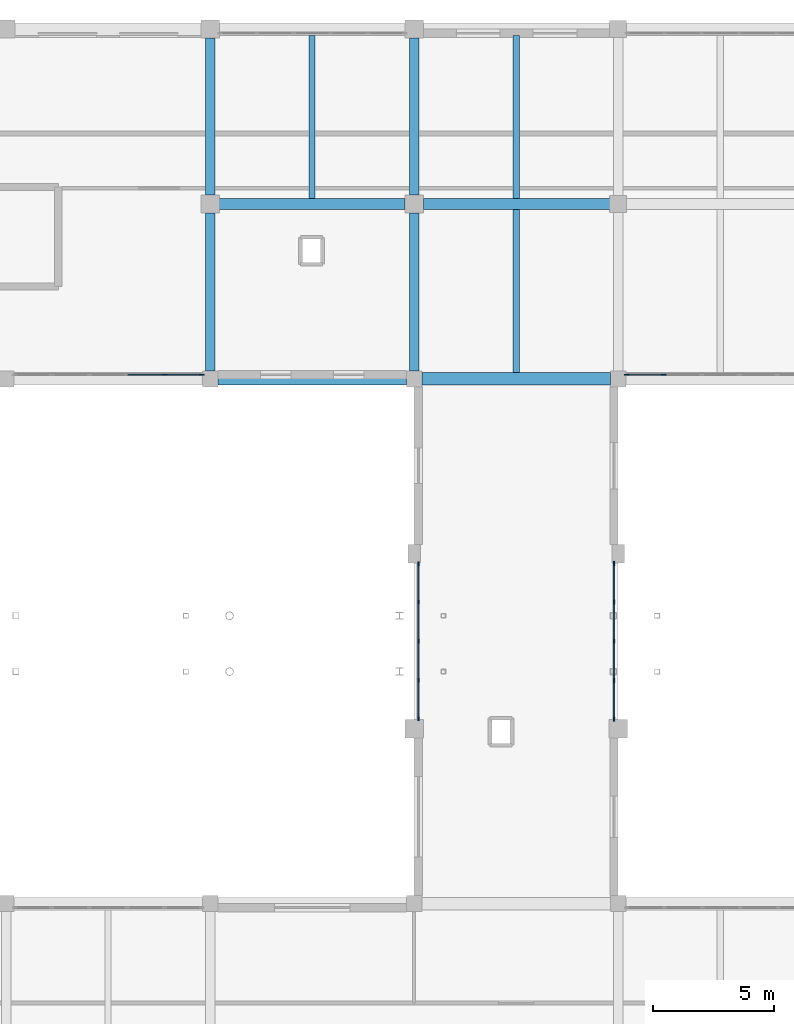
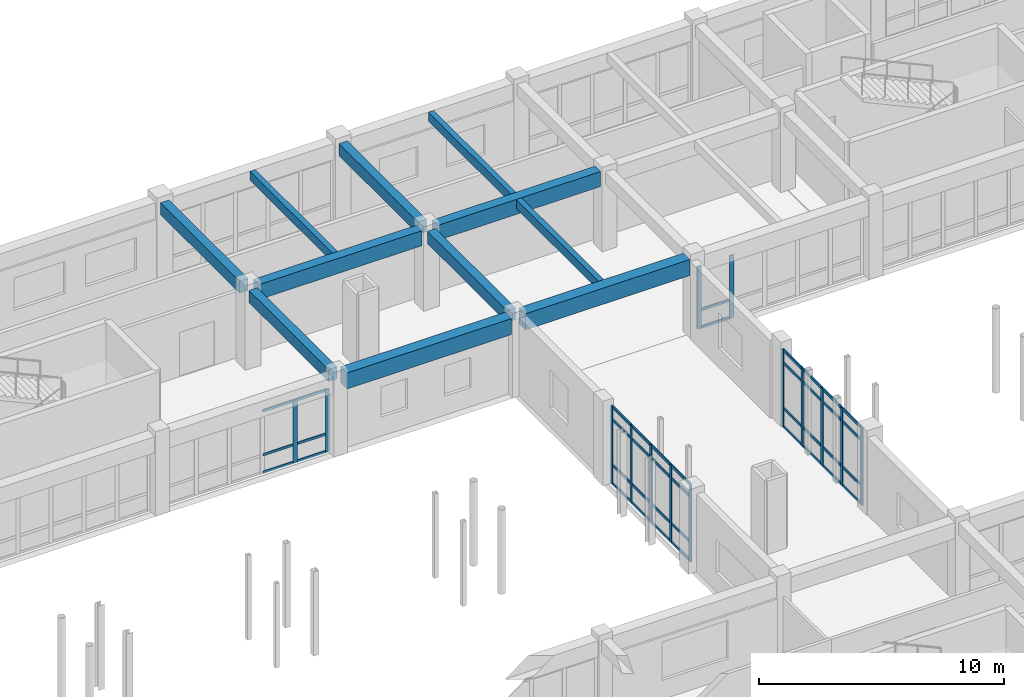
# One storey, part 74 of 147: 54 members, 11 beams, 4 elements without a shape of their own.
"""IFC4 building model written with IfcOpenShell, lengths in metres."""

from ifc_helpers import new_model, si_unit, direction, frame, origin, origin_2d, place, context, subcontext, project, spatial, rectangle, extrude, material, material_profile, profile_set, type_object, element, aggregate, save


model = new_model("IFC4")

# Units and contexts
model_context = context("Model", 3, precision=1e-05, world=origin(), true_north=direction((0.0, 1.0)))
body_context = subcontext(model_context, "Body", "Model", "MODEL_VIEW")
ifc_project = project(units=[si_unit("LENGTHUNIT", "METRE"), si_unit("AREAUNIT", "SQUARE_METRE"), si_unit("VOLUMEUNIT", "CUBIC_METRE"), si_unit("PLANEANGLEUNIT", "RADIAN"), si_unit("MASSUNIT", "GRAM", prefix="KILO")], contexts=[model_context])

# Site, building, storey
site_placement = place(None, origin())
site = spatial("IfcSite", under=ifc_project, at=site_placement, CompositionType="ELEMENT")
building_placement = place(site_placement, origin())
building = spatial("IfcBuilding", under=site, at=building_placement, Name="Malvenik Polytechnic", CompositionType="ELEMENT")
storey_placement = place(building_placement, frame((0.0, 0.0, 5.10009765625)))
storey = spatial("IfcBuildingStorey", under=building, at=storey_placement, Name="L01", CompositionType="ELEMENT", Elevation=5.10009765625)

# Curtain wall, members
ifc_material_1 = material(Name="Anodised aluminium 6060-T6", Category="aluminium")
curtain_wall_type_1 = type_object("IfcCurtainWallType", Name="ARC-CW-CW-04", PredefinedType="NOTDEFINED", material=ifc_material_1)
curtain_wall_1_placement = place(storey_placement, origin())
curtain_wall_1 = element("IfcCurtainWall", 1, at=curtain_wall_1_placement, inside=storey, type_object=curtain_wall_type_1, Name="Unitised Curtain Wall CW-04 L01 #38", PredefinedType="NOTDEFINED")
ifc_material_2 = material(Name="Anodised aluminium", Category="aluminium")
ifc_material_profile_1 = material_profile(ifc_material_2, rectangle(XDim=0.06005859375, YDim=0.159912109375, at=origin_2d()), Name="ALU MULLION 60x160")
ifc_profile_set_1 = profile_set([ifc_material_profile_1], Name="Anodised aluminium")
member_type_1 = type_object("IfcMemberType", Name="ARC-CWM-160", PredefinedType="MULLION", material=ifc_profile_set_1)
member_1_placement = place(storey_placement, frame((75.77001953125, 101.202880859375, 0.0), z_axis=(0.0, 0.0, 1.0), x_axis=(-1.0, 0.0, 0.0)))
member_1 = element("IfcMember", 2, at=member_1_placement, type_object=member_type_1, Name="CW-04 mullion 1", PredefinedType="MULLION", context=body_context, shape_type="SweptSolid", body=[
    extrude(rectangle(XDim=0.06005859375, YDim=0.159912109375, at=origin_2d()), origin(), (0.0, 0.0, 1.0), 3.85986328125),
])
member_2_placement = place(storey_placement, frame((75.77001953125, 102.78662109375, 0.0), z_axis=(0.0, 0.0, 1.0), x_axis=(-1.0, 0.0, 0.0)))
member_2 = element("IfcMember", 3, at=member_2_placement, type_object=member_type_1, Name="CW-04 mullion 2", PredefinedType="MULLION", context=body_context, shape_type="SweptSolid", body=[
    extrude(rectangle(XDim=0.06005859375, YDim=0.159912109375, at=origin_2d()), origin(), (0.0, 0.0, 1.0), 3.85986328125),
])
member_3_placement = place(storey_placement, frame((75.77001953125, 104.39990234375, 0.0), z_axis=(0.0, 0.0, 1.0), x_axis=(-1.0, 0.0, 0.0)))
member_3 = element("IfcMember", 4, at=member_3_placement, type_object=member_type_1, Name="CW-04 mullion 3", PredefinedType="MULLION", context=body_context, shape_type="SweptSolid", body=[
    extrude(rectangle(XDim=0.06005859375, YDim=0.159912109375, at=origin_2d()), origin(), (0.0, 0.0, 1.0), 3.85986328125),
])
member_4_placement = place(storey_placement, frame((75.77001953125, 106.013427734375, 0.0), z_axis=(0.0, 0.0, 1.0), x_axis=(-1.0, 0.0, 0.0)))
member_4 = element("IfcMember", 5, at=member_4_placement, type_object=member_type_1, Name="CW-04 mullion 4", PredefinedType="MULLION", context=body_context, shape_type="SweptSolid", body=[
    extrude(rectangle(XDim=0.06005859375, YDim=0.159912109375, at=origin_2d()), origin(), (0.0, 0.0, 1.0), 3.85986328125),
])
member_5_placement = place(storey_placement, frame((75.77001953125, 107.596923828125, 0.0), z_axis=(0.0, 0.0, 1.0), x_axis=(-1.0, 0.0, 0.0)))
member_5 = element("IfcMember", 6, at=member_5_placement, type_object=member_type_1, Name="CW-04 mullion 5", PredefinedType="MULLION", context=body_context, shape_type="SweptSolid", body=[
    extrude(rectangle(XDim=0.06005859375, YDim=0.159912109375, at=origin_2d()), origin(), (0.0, 0.0, 1.0), 3.85986328125),
])

curtain_wall_2_placement = place(storey_placement, origin())
curtain_wall_2 = element("IfcCurtainWall", 7, at=curtain_wall_2_placement, inside=storey, type_object=curtain_wall_type_1, Name="Unitised Curtain Wall CW-04 L01 #58", PredefinedType="NOTDEFINED")
ifc_material_profile_2 = material_profile(ifc_material_2, rectangle(XDim=0.06005859375, YDim=0.179931640625, at=origin_2d()), Name="ALU MULLION 60x180")
ifc_profile_set_2 = profile_set([ifc_material_profile_2], Name="Anodised aluminium")
member_type_2 = type_object("IfcMemberType", Name="ARC-CWM-180", PredefinedType="MULLION", material=ifc_profile_set_2)
member_6_placement = place(storey_placement, frame((83.830078125, 107.596923828125, 0.0), z_axis=(0.0, 0.0, 1.0), x_axis=(1.0, 0.0, 0.0)))
member_6 = element("IfcMember", 8, at=member_6_placement, type_object=member_type_2, Name="CW-04 mullion 1", PredefinedType="MULLION", context=body_context, shape_type="SweptSolid", body=[
    extrude(rectangle(XDim=0.06005859375, YDim=0.179931640625, at=origin_2d()), origin(), (0.0, 0.0, 1.0), 3.85986328125),
])
member_7_placement = place(storey_placement, frame((83.830078125, 106.013427734375, 0.0), z_axis=(0.0, 0.0, 1.0), x_axis=(1.0, 0.0, 0.0)))
member_7 = element("IfcMember", 9, at=member_7_placement, type_object=member_type_2, Name="CW-04 mullion 2", PredefinedType="MULLION", context=body_context, shape_type="SweptSolid", body=[
    extrude(rectangle(XDim=0.06005859375, YDim=0.179931640625, at=origin_2d()), origin(), (0.0, 0.0, 1.0), 3.85986328125),
])
member_8_placement = place(storey_placement, frame((83.830078125, 104.39990234375, 0.0), z_axis=(0.0, 0.0, 1.0), x_axis=(1.0, 0.0, 0.0)))
member_8 = element("IfcMember", 10, at=member_8_placement, type_object=member_type_2, Name="CW-04 mullion 3", PredefinedType="MULLION", context=body_context, shape_type="SweptSolid", body=[
    extrude(rectangle(XDim=0.06005859375, YDim=0.179931640625, at=origin_2d()), origin(), (0.0, 0.0, 1.0), 3.85986328125),
])
member_9_placement = place(storey_placement, frame((83.830078125, 102.78662109375, 0.0), z_axis=(0.0, 0.0, 1.0), x_axis=(1.0, 0.0, 0.0)))
member_9 = element("IfcMember", 11, at=member_9_placement, type_object=member_type_2, Name="CW-04 mullion 4", PredefinedType="MULLION", context=body_context, shape_type="SweptSolid", body=[
    extrude(rectangle(XDim=0.06005859375, YDim=0.179931640625, at=origin_2d()), origin(), (0.0, 0.0, 1.0), 3.85986328125),
])
member_10_placement = place(storey_placement, frame((83.830078125, 101.202880859375, 0.0), z_axis=(0.0, 0.0, 1.0), x_axis=(1.0, 0.0, 0.0)))
member_10 = element("IfcMember", 12, at=member_10_placement, type_object=member_type_2, Name="CW-04 mullion 5", PredefinedType="MULLION", context=body_context, shape_type="SweptSolid", body=[
    extrude(rectangle(XDim=0.06005859375, YDim=0.179931640625, at=origin_2d()), origin(), (0.0, 0.0, 1.0), 3.85986328125),
])

curtain_wall_type_2 = type_object("IfcCurtainWallType", Name="ARC-CW-CW-02", PredefinedType="NOTDEFINED", material=ifc_material_1)
curtain_wall_3_placement = place(storey_placement, origin())
curtain_wall_3 = element("IfcCurtainWall", 13, at=curtain_wall_3_placement, inside=storey, type_object=curtain_wall_type_2, Name="Unitised Curtain Wall CW-02 L01 #39", PredefinedType="NOTDEFINED")
ifc_material_profile_3 = material_profile(ifc_material_2, rectangle(XDim=0.06005859375, YDim=0.199951171875, at=origin_2d()), Name="ALU MULLION 60x200")
ifc_profile_set_3 = profile_set([ifc_material_profile_3], Name="Anodised aluminium")
member_type_3 = type_object("IfcMemberType", Name="ARC-CWM-200", PredefinedType="MULLION", material=ifc_profile_set_3)
member_11_placement = place(storey_placement, frame((66.846923828125, 115.3701171875, 0.0), z_axis=(0.0, 0.0, 1.0), x_axis=(0.0, -1.0, 0.0)))
member_11 = element("IfcMember", 14, at=member_11_placement, type_object=member_type_3, Name="CW-02 mullion 1", PredefinedType="MULLION", context=body_context, shape_type="SweptSolid", body=[
    extrude(rectangle(XDim=0.06005859375, YDim=0.199951171875, at=origin_2d()), origin(), (0.0, 0.0, 1.0), 3.10986328125),
])
member_12_placement = place(storey_placement, frame((65.326171875, 115.3701171875, 0.0), z_axis=(0.0, 0.0, 1.0), x_axis=(0.0, -1.0, 0.0)))
member_12 = element("IfcMember", 15, at=member_12_placement, type_object=member_type_3, Name="CW-02 mullion 2", PredefinedType="MULLION", context=body_context, shape_type="SweptSolid", body=[
    extrude(rectangle(XDim=0.06005859375, YDim=0.199951171875, at=origin_2d()), origin(), (0.0, 0.0, 1.0), 3.10986328125),
])

curtain_wall_4_placement = place(storey_placement, origin())
curtain_wall_4 = element("IfcCurtainWall", 16, at=curtain_wall_4_placement, inside=storey, type_object=curtain_wall_type_2, Name="Unitised Curtain Wall CW-02 L01 #57", PredefinedType="NOTDEFINED")
member_13_placement = place(storey_placement, frame((85.873779296875, 115.3701171875, 0.0), z_axis=(0.0, 0.0, 1.0), x_axis=(0.0, -1.0, 0.0)))
member_13 = element("IfcMember", 17, at=member_13_placement, type_object=member_type_3, Name="CW-02 mullion 5", PredefinedType="MULLION", context=body_context, shape_type="SweptSolid", body=[
    extrude(rectangle(XDim=0.06005859375, YDim=0.199951171875, at=origin_2d()), origin(), (0.0, 0.0, 1.0), 3.10986328125),
])
member_14_placement = place(storey_placement, frame((84.35302734375, 115.3701171875, 0.0), z_axis=(0.0, 0.0, 1.0), x_axis=(0.0, -1.0, 0.0)))
member_14 = element("IfcMember", 18, at=member_14_placement, type_object=member_type_3, Name="CW-02 mullion 6", PredefinedType="MULLION", context=body_context, shape_type="SweptSolid", body=[
    extrude(rectangle(XDim=0.06005859375, YDim=0.199951171875, at=origin_2d()), origin(), (0.0, 0.0, 1.0), 3.10986328125),
])

# Member
ifc_material_profile_4 = material_profile(ifc_material_2, rectangle(XDim=0.06005859375, YDim=0.1201171875, at=origin_2d()), Name="ALU TRANSOM 60x120")
ifc_profile_set_4 = profile_set([ifc_material_profile_4], Name="Anodised aluminium")
member_type_4 = type_object("IfcMemberType", Name="ARC-CWT-120", PredefinedType="USERDEFINED", material=ifc_profile_set_4)
member_15_placement = place(storey_placement, frame((66.81689453125, 115.3701171875, 0.02978515625), z_axis=(-1.0, 0.0, 0.0), x_axis=(0.0, -1.0, 0.0)))
member_15 = element("IfcMember", 19, at=member_15_placement, type_object=member_type_4, Name="CW-02 transom 1.1", ObjectType="TRANSOM", PredefinedType="USERDEFINED", context=body_context, shape_type="SweptSolid", body=[
    extrude(rectangle(XDim=0.06005859375, YDim=0.1201171875, at=origin_2d()), origin(), (0.0, 0.0, 1.0), 1.460693359375),
])

member_16_placement = place(storey_placement, frame((66.81689453125, 115.3701171875, 0.89990234375), z_axis=(-1.0, 0.0, 0.0), x_axis=(0.0, -1.0, 0.0)))
member_16 = element("IfcMember", 20, at=member_16_placement, type_object=member_type_4, Name="CW-02 transom 1.2", ObjectType="TRANSOM", PredefinedType="USERDEFINED", context=body_context, shape_type="SweptSolid", body=[
    extrude(rectangle(XDim=0.06005859375, YDim=0.1201171875, at=origin_2d()), origin(), (0.0, 0.0, 1.0), 1.460693359375),
])

member_17_placement = place(storey_placement, frame((66.81689453125, 115.3701171875, 3.079833984375), z_axis=(-1.0, 0.0, 0.0), x_axis=(0.0, -1.0, 0.0)))
member_17 = element("IfcMember", 21, at=member_17_placement, type_object=member_type_4, Name="CW-02 transom 1.3", ObjectType="TRANSOM", PredefinedType="USERDEFINED", context=body_context, shape_type="SweptSolid", body=[
    extrude(rectangle(XDim=0.06005859375, YDim=0.1201171875, at=origin_2d()), origin(), (0.0, 0.0, 1.0), 1.460693359375),
])

member_18_placement = place(storey_placement, frame((65.296142578125, 115.3701171875, 0.02978515625), z_axis=(-1.0, 0.0, 0.0), x_axis=(0.0, -1.0, 0.0)))
member_18 = element("IfcMember", 22, at=member_18_placement, type_object=member_type_4, Name="CW-02 transom 2.1", ObjectType="TRANSOM", PredefinedType="USERDEFINED", context=body_context, shape_type="SweptSolid", body=[
    extrude(rectangle(XDim=0.06005859375, YDim=0.1201171875, at=origin_2d()), origin(), (0.0, 0.0, 1.0), 1.49072265625),
])

member_19_placement = place(storey_placement, frame((65.296142578125, 115.3701171875, 0.89990234375), z_axis=(-1.0, 0.0, 0.0), x_axis=(0.0, -1.0, 0.0)))
member_19 = element("IfcMember", 23, at=member_19_placement, type_object=member_type_4, Name="CW-02 transom 2.2", ObjectType="TRANSOM", PredefinedType="USERDEFINED", context=body_context, shape_type="SweptSolid", body=[
    extrude(rectangle(XDim=0.06005859375, YDim=0.1201171875, at=origin_2d()), origin(), (0.0, 0.0, 1.0), 1.49072265625),
])

member_20_placement = place(storey_placement, frame((65.296142578125, 115.3701171875, 3.079833984375), z_axis=(-1.0, 0.0, 0.0), x_axis=(0.0, -1.0, 0.0)))
member_20 = element("IfcMember", 24, at=member_20_placement, type_object=member_type_4, Name="CW-02 transom 2.3", ObjectType="TRANSOM", PredefinedType="USERDEFINED", context=body_context, shape_type="SweptSolid", body=[
    extrude(rectangle(XDim=0.06005859375, YDim=0.1201171875, at=origin_2d()), origin(), (0.0, 0.0, 1.0), 1.49072265625),
])

aggregate(curtain_wall_3, [member_11, member_12, member_15, member_16, member_17, member_18, member_19, member_20])

member_21_placement = place(storey_placement, frame((85.84375, 115.3701171875, 0.02978515625), z_axis=(-1.0, 0.0, 0.0), x_axis=(0.0, -1.0, 0.0)))
member_21 = element("IfcMember", 25, at=member_21_placement, type_object=member_type_4, Name="CW-02 transom 5.1", ObjectType="TRANSOM", PredefinedType="USERDEFINED", context=body_context, shape_type="SweptSolid", body=[
    extrude(rectangle(XDim=0.06005859375, YDim=0.1201171875, at=origin_2d()), origin(), (0.0, 0.0, 1.0), 1.460693359375),
])

member_22_placement = place(storey_placement, frame((85.84375, 115.3701171875, 0.89990234375), z_axis=(-1.0, 0.0, 0.0), x_axis=(0.0, -1.0, 0.0)))
member_22 = element("IfcMember", 26, at=member_22_placement, type_object=member_type_4, Name="CW-02 transom 5.2", ObjectType="TRANSOM", PredefinedType="USERDEFINED", context=body_context, shape_type="SweptSolid", body=[
    extrude(rectangle(XDim=0.06005859375, YDim=0.1201171875, at=origin_2d()), origin(), (0.0, 0.0, 1.0), 1.460693359375),
])

aggregate(curtain_wall_4, [member_13, member_14, member_21, member_22])

ifc_material_profile_5 = material_profile(ifc_material_2, rectangle(XDim=0.06005859375, YDim=0.139892578125, at=origin_2d()), Name="ALU TRANSOM 60x140")
ifc_profile_set_5 = profile_set([ifc_material_profile_5], Name="Anodised aluminium")
member_type_5 = type_object("IfcMemberType", Name="ARC-CWT-140", PredefinedType="USERDEFINED", material=ifc_profile_set_5)
member_23_placement = place(storey_placement, frame((75.77001953125, 101.23291015625, 0.02978515625), z_axis=(0.0, 1.0, 0.0), x_axis=(-1.0, 0.0, 0.0)))
member_23 = element("IfcMember", 27, at=member_23_placement, type_object=member_type_5, Name="CW-04 transom 1.1", ObjectType="TRANSOM", PredefinedType="USERDEFINED", context=body_context, shape_type="SweptSolid", body=[
    extrude(rectangle(XDim=0.06005859375, YDim=0.139892578125, at=origin_2d()), origin(), (0.0, 0.0, 1.0), 1.523681640625),
])

member_24_placement = place(storey_placement, frame((75.77001953125, 101.23291015625, 0.949951171875), z_axis=(0.0, 1.0, 0.0), x_axis=(-1.0, 0.0, 0.0)))
member_24 = element("IfcMember", 28, at=member_24_placement, type_object=member_type_5, Name="CW-04 transom 1.2", ObjectType="TRANSOM", PredefinedType="USERDEFINED", context=body_context, shape_type="SweptSolid", body=[
    extrude(rectangle(XDim=0.06005859375, YDim=0.139892578125, at=origin_2d()), origin(), (0.0, 0.0, 1.0), 1.523681640625),
])

member_25_placement = place(storey_placement, frame((75.77001953125, 101.23291015625, 3.2099609375), z_axis=(0.0, 1.0, 0.0), x_axis=(-1.0, 0.0, 0.0)))
member_25 = element("IfcMember", 29, at=member_25_placement, type_object=member_type_5, Name="CW-04 transom 1.3", ObjectType="TRANSOM", PredefinedType="USERDEFINED", context=body_context, shape_type="SweptSolid", body=[
    extrude(rectangle(XDim=0.06005859375, YDim=0.139892578125, at=origin_2d()), origin(), (0.0, 0.0, 1.0), 1.523681640625),
])

member_26_placement = place(storey_placement, frame((75.77001953125, 101.23291015625, 3.829833984375), z_axis=(0.0, 1.0, 0.0), x_axis=(-1.0, 0.0, 0.0)))
member_26 = element("IfcMember", 30, at=member_26_placement, type_object=member_type_5, Name="CW-04 transom 1.4", ObjectType="TRANSOM", PredefinedType="USERDEFINED", context=body_context, shape_type="SweptSolid", body=[
    extrude(rectangle(XDim=0.06005859375, YDim=0.139892578125, at=origin_2d()), origin(), (0.0, 0.0, 1.0), 1.523681640625),
])

member_27_placement = place(storey_placement, frame((75.77001953125, 102.81640625, 0.02978515625), z_axis=(0.0, 1.0, 0.0), x_axis=(-1.0, 0.0, 0.0)))
member_27 = element("IfcMember", 31, at=member_27_placement, type_object=member_type_5, Name="CW-04 transom 2.1", ObjectType="TRANSOM", PredefinedType="USERDEFINED", context=body_context, shape_type="SweptSolid", body=[
    extrude(rectangle(XDim=0.06005859375, YDim=0.139892578125, at=origin_2d()), origin(), (0.0, 0.0, 1.0), 1.5537109375),
])

member_28_placement = place(storey_placement, frame((75.77001953125, 102.81640625, 0.949951171875), z_axis=(0.0, 1.0, 0.0), x_axis=(-1.0, 0.0, 0.0)))
member_28 = element("IfcMember", 32, at=member_28_placement, type_object=member_type_5, Name="CW-04 transom 2.2", ObjectType="TRANSOM", PredefinedType="USERDEFINED", context=body_context, shape_type="SweptSolid", body=[
    extrude(rectangle(XDim=0.06005859375, YDim=0.139892578125, at=origin_2d()), origin(), (0.0, 0.0, 1.0), 1.5537109375),
])

member_29_placement = place(storey_placement, frame((75.77001953125, 102.81640625, 3.2099609375), z_axis=(0.0, 1.0, 0.0), x_axis=(-1.0, 0.0, 0.0)))
member_29 = element("IfcMember", 33, at=member_29_placement, type_object=member_type_5, Name="CW-04 transom 2.3", ObjectType="TRANSOM", PredefinedType="USERDEFINED", context=body_context, shape_type="SweptSolid", body=[
    extrude(rectangle(XDim=0.06005859375, YDim=0.139892578125, at=origin_2d()), origin(), (0.0, 0.0, 1.0), 1.5537109375),
])

member_30_placement = place(storey_placement, frame((75.77001953125, 102.81640625, 3.829833984375), z_axis=(0.0, 1.0, 0.0), x_axis=(-1.0, 0.0, 0.0)))
member_30 = element("IfcMember", 34, at=member_30_placement, type_object=member_type_5, Name="CW-04 transom 2.4", ObjectType="TRANSOM", PredefinedType="USERDEFINED", context=body_context, shape_type="SweptSolid", body=[
    extrude(rectangle(XDim=0.06005859375, YDim=0.139892578125, at=origin_2d()), origin(), (0.0, 0.0, 1.0), 1.5537109375),
])

member_31_placement = place(storey_placement, frame((75.77001953125, 104.429931640625, 0.02978515625), z_axis=(0.0, 1.0, 0.0), x_axis=(-1.0, 0.0, 0.0)))
member_31 = element("IfcMember", 35, at=member_31_placement, type_object=member_type_5, Name="CW-04 transom 3.1", ObjectType="TRANSOM", PredefinedType="USERDEFINED", context=body_context, shape_type="SweptSolid", body=[
    extrude(rectangle(XDim=0.06005859375, YDim=0.139892578125, at=origin_2d()), origin(), (0.0, 0.0, 1.0), 1.553466796875),
])

member_32_placement = place(storey_placement, frame((75.77001953125, 104.429931640625, 0.949951171875), z_axis=(0.0, 1.0, 0.0), x_axis=(-1.0, 0.0, 0.0)))
member_32 = element("IfcMember", 36, at=member_32_placement, type_object=member_type_5, Name="CW-04 transom 3.2", ObjectType="TRANSOM", PredefinedType="USERDEFINED", context=body_context, shape_type="SweptSolid", body=[
    extrude(rectangle(XDim=0.06005859375, YDim=0.139892578125, at=origin_2d()), origin(), (0.0, 0.0, 1.0), 1.553466796875),
])

member_33_placement = place(storey_placement, frame((75.77001953125, 104.429931640625, 3.2099609375), z_axis=(0.0, 1.0, 0.0), x_axis=(-1.0, 0.0, 0.0)))
member_33 = element("IfcMember", 37, at=member_33_placement, type_object=member_type_5, Name="CW-04 transom 3.3", ObjectType="TRANSOM", PredefinedType="USERDEFINED", context=body_context, shape_type="SweptSolid", body=[
    extrude(rectangle(XDim=0.06005859375, YDim=0.139892578125, at=origin_2d()), origin(), (0.0, 0.0, 1.0), 1.553466796875),
])

member_34_placement = place(storey_placement, frame((75.77001953125, 104.429931640625, 3.829833984375), z_axis=(0.0, 1.0, 0.0), x_axis=(-1.0, 0.0, 0.0)))
member_34 = element("IfcMember", 38, at=member_34_placement, type_object=member_type_5, Name="CW-04 transom 3.4", ObjectType="TRANSOM", PredefinedType="USERDEFINED", context=body_context, shape_type="SweptSolid", body=[
    extrude(rectangle(XDim=0.06005859375, YDim=0.139892578125, at=origin_2d()), origin(), (0.0, 0.0, 1.0), 1.553466796875),
])

member_35_placement = place(storey_placement, frame((75.77001953125, 106.04345703125, 0.02978515625), z_axis=(0.0, 1.0, 0.0), x_axis=(-1.0, 0.0, 0.0)))
member_35 = element("IfcMember", 39, at=member_35_placement, type_object=member_type_5, Name="CW-04 transom 4.1", ObjectType="TRANSOM", PredefinedType="USERDEFINED", context=body_context, shape_type="SweptSolid", body=[
    extrude(rectangle(XDim=0.06005859375, YDim=0.139892578125, at=origin_2d()), origin(), (0.0, 0.0, 1.0), 1.5234375),
])

member_36_placement = place(storey_placement, frame((75.77001953125, 106.04345703125, 0.949951171875), z_axis=(0.0, 1.0, 0.0), x_axis=(-1.0, 0.0, 0.0)))
member_36 = element("IfcMember", 40, at=member_36_placement, type_object=member_type_5, Name="CW-04 transom 4.2", ObjectType="TRANSOM", PredefinedType="USERDEFINED", context=body_context, shape_type="SweptSolid", body=[
    extrude(rectangle(XDim=0.06005859375, YDim=0.139892578125, at=origin_2d()), origin(), (0.0, 0.0, 1.0), 1.5234375),
])

member_37_placement = place(storey_placement, frame((75.77001953125, 106.04345703125, 3.2099609375), z_axis=(0.0, 1.0, 0.0), x_axis=(-1.0, 0.0, 0.0)))
member_37 = element("IfcMember", 41, at=member_37_placement, type_object=member_type_5, Name="CW-04 transom 4.3", ObjectType="TRANSOM", PredefinedType="USERDEFINED", context=body_context, shape_type="SweptSolid", body=[
    extrude(rectangle(XDim=0.06005859375, YDim=0.139892578125, at=origin_2d()), origin(), (0.0, 0.0, 1.0), 1.5234375),
])

member_38_placement = place(storey_placement, frame((75.77001953125, 106.04345703125, 3.829833984375), z_axis=(0.0, 1.0, 0.0), x_axis=(-1.0, 0.0, 0.0)))
member_38 = element("IfcMember", 42, at=member_38_placement, type_object=member_type_5, Name="CW-04 transom 4.4", ObjectType="TRANSOM", PredefinedType="USERDEFINED", context=body_context, shape_type="SweptSolid", body=[
    extrude(rectangle(XDim=0.06005859375, YDim=0.139892578125, at=origin_2d()), origin(), (0.0, 0.0, 1.0), 1.5234375),
])

aggregate(curtain_wall_1, [member_1, member_2, member_3, member_4, member_5, member_23, member_24, member_25, member_26, member_27, member_28, member_29, member_30, member_31, member_32, member_33, member_34, member_35, member_36, member_37, member_38])

member_39_placement = place(storey_placement, frame((83.830078125, 107.56689453125, 0.02978515625), z_axis=(0.0, -1.0, 0.0), x_axis=(1.0, 0.0, 0.0)))
member_39 = element("IfcMember", 43, at=member_39_placement, type_object=member_type_5, Name="CW-04 transom 1.1", ObjectType="TRANSOM", PredefinedType="USERDEFINED", context=body_context, shape_type="SweptSolid", body=[
    extrude(rectangle(XDim=0.06005859375, YDim=0.139892578125, at=origin_2d()), origin(), (0.0, 0.0, 1.0), 1.5234375),
])

member_40_placement = place(storey_placement, frame((83.830078125, 107.56689453125, 0.949951171875), z_axis=(0.0, -1.0, 0.0), x_axis=(1.0, 0.0, 0.0)))
member_40 = element("IfcMember", 44, at=member_40_placement, type_object=member_type_5, Name="CW-04 transom 1.2", ObjectType="TRANSOM", PredefinedType="USERDEFINED", context=body_context, shape_type="SweptSolid", body=[
    extrude(rectangle(XDim=0.06005859375, YDim=0.139892578125, at=origin_2d()), origin(), (0.0, 0.0, 1.0), 1.5234375),
])

member_41_placement = place(storey_placement, frame((83.830078125, 107.56689453125, 3.2099609375), z_axis=(0.0, -1.0, 0.0), x_axis=(1.0, 0.0, 0.0)))
member_41 = element("IfcMember", 45, at=member_41_placement, type_object=member_type_5, Name="CW-04 transom 1.3", ObjectType="TRANSOM", PredefinedType="USERDEFINED", context=body_context, shape_type="SweptSolid", body=[
    extrude(rectangle(XDim=0.06005859375, YDim=0.139892578125, at=origin_2d()), origin(), (0.0, 0.0, 1.0), 1.5234375),
])

member_42_placement = place(storey_placement, frame((83.830078125, 107.56689453125, 3.829833984375), z_axis=(0.0, -1.0, 0.0), x_axis=(1.0, 0.0, 0.0)))
member_42 = element("IfcMember", 46, at=member_42_placement, type_object=member_type_5, Name="CW-04 transom 1.4", ObjectType="TRANSOM", PredefinedType="USERDEFINED", context=body_context, shape_type="SweptSolid", body=[
    extrude(rectangle(XDim=0.06005859375, YDim=0.139892578125, at=origin_2d()), origin(), (0.0, 0.0, 1.0), 1.5234375),
])

member_43_placement = place(storey_placement, frame((83.830078125, 105.9833984375, 0.02978515625), z_axis=(0.0, -1.0, 0.0), x_axis=(1.0, 0.0, 0.0)))
member_43 = element("IfcMember", 47, at=member_43_placement, type_object=member_type_5, Name="CW-04 transom 2.1", ObjectType="TRANSOM", PredefinedType="USERDEFINED", context=body_context, shape_type="SweptSolid", body=[
    extrude(rectangle(XDim=0.06005859375, YDim=0.139892578125, at=origin_2d()), origin(), (0.0, 0.0, 1.0), 1.553466796875),
])

member_44_placement = place(storey_placement, frame((83.830078125, 105.9833984375, 0.949951171875), z_axis=(0.0, -1.0, 0.0), x_axis=(1.0, 0.0, 0.0)))
member_44 = element("IfcMember", 48, at=member_44_placement, type_object=member_type_5, Name="CW-04 transom 2.2", ObjectType="TRANSOM", PredefinedType="USERDEFINED", context=body_context, shape_type="SweptSolid", body=[
    extrude(rectangle(XDim=0.06005859375, YDim=0.139892578125, at=origin_2d()), origin(), (0.0, 0.0, 1.0), 1.553466796875),
])

member_45_placement = place(storey_placement, frame((83.830078125, 105.9833984375, 3.2099609375), z_axis=(0.0, -1.0, 0.0), x_axis=(1.0, 0.0, 0.0)))
member_45 = element("IfcMember", 49, at=member_45_placement, type_object=member_type_5, Name="CW-04 transom 2.3", ObjectType="TRANSOM", PredefinedType="USERDEFINED", context=body_context, shape_type="SweptSolid", body=[
    extrude(rectangle(XDim=0.06005859375, YDim=0.139892578125, at=origin_2d()), origin(), (0.0, 0.0, 1.0), 1.553466796875),
])

member_46_placement = place(storey_placement, frame((83.830078125, 105.9833984375, 3.829833984375), z_axis=(0.0, -1.0, 0.0), x_axis=(1.0, 0.0, 0.0)))
member_46 = element("IfcMember", 50, at=member_46_placement, type_object=member_type_5, Name="CW-04 transom 2.4", ObjectType="TRANSOM", PredefinedType="USERDEFINED", context=body_context, shape_type="SweptSolid", body=[
    extrude(rectangle(XDim=0.06005859375, YDim=0.139892578125, at=origin_2d()), origin(), (0.0, 0.0, 1.0), 1.553466796875),
])

member_47_placement = place(storey_placement, frame((83.830078125, 104.3701171875, 0.02978515625), z_axis=(0.0, -1.0, 0.0), x_axis=(1.0, 0.0, 0.0)))
member_47 = element("IfcMember", 51, at=member_47_placement, type_object=member_type_5, Name="CW-04 transom 3.1", ObjectType="TRANSOM", PredefinedType="USERDEFINED", context=body_context, shape_type="SweptSolid", body=[
    extrude(rectangle(XDim=0.06005859375, YDim=0.139892578125, at=origin_2d()), origin(), (0.0, 0.0, 1.0), 1.5537109375),
])

member_48_placement = place(storey_placement, frame((83.830078125, 104.3701171875, 0.949951171875), z_axis=(0.0, -1.0, 0.0), x_axis=(1.0, 0.0, 0.0)))
member_48 = element("IfcMember", 52, at=member_48_placement, type_object=member_type_5, Name="CW-04 transom 3.2", ObjectType="TRANSOM", PredefinedType="USERDEFINED", context=body_context, shape_type="SweptSolid", body=[
    extrude(rectangle(XDim=0.06005859375, YDim=0.139892578125, at=origin_2d()), origin(), (0.0, 0.0, 1.0), 1.5537109375),
])

member_49_placement = place(storey_placement, frame((83.830078125, 104.3701171875, 3.2099609375), z_axis=(0.0, -1.0, 0.0), x_axis=(1.0, 0.0, 0.0)))
member_49 = element("IfcMember", 53, at=member_49_placement, type_object=member_type_5, Name="CW-04 transom 3.3", ObjectType="TRANSOM", PredefinedType="USERDEFINED", context=body_context, shape_type="SweptSolid", body=[
    extrude(rectangle(XDim=0.06005859375, YDim=0.139892578125, at=origin_2d()), origin(), (0.0, 0.0, 1.0), 1.5537109375),
])

member_50_placement = place(storey_placement, frame((83.830078125, 104.3701171875, 3.829833984375), z_axis=(0.0, -1.0, 0.0), x_axis=(1.0, 0.0, 0.0)))
member_50 = element("IfcMember", 54, at=member_50_placement, type_object=member_type_5, Name="CW-04 transom 3.4", ObjectType="TRANSOM", PredefinedType="USERDEFINED", context=body_context, shape_type="SweptSolid", body=[
    extrude(rectangle(XDim=0.06005859375, YDim=0.139892578125, at=origin_2d()), origin(), (0.0, 0.0, 1.0), 1.5537109375),
])

member_51_placement = place(storey_placement, frame((83.830078125, 102.756591796875, 0.02978515625), z_axis=(0.0, -1.0, 0.0), x_axis=(1.0, 0.0, 0.0)))
member_51 = element("IfcMember", 55, at=member_51_placement, type_object=member_type_5, Name="CW-04 transom 4.1", ObjectType="TRANSOM", PredefinedType="USERDEFINED", context=body_context, shape_type="SweptSolid", body=[
    extrude(rectangle(XDim=0.06005859375, YDim=0.139892578125, at=origin_2d()), origin(), (0.0, 0.0, 1.0), 1.523681640625),
])

member_52_placement = place(storey_placement, frame((83.830078125, 102.756591796875, 0.949951171875), z_axis=(0.0, -1.0, 0.0), x_axis=(1.0, 0.0, 0.0)))
member_52 = element("IfcMember", 56, at=member_52_placement, type_object=member_type_5, Name="CW-04 transom 4.2", ObjectType="TRANSOM", PredefinedType="USERDEFINED", context=body_context, shape_type="SweptSolid", body=[
    extrude(rectangle(XDim=0.06005859375, YDim=0.139892578125, at=origin_2d()), origin(), (0.0, 0.0, 1.0), 1.523681640625),
])

member_53_placement = place(storey_placement, frame((83.830078125, 102.756591796875, 3.2099609375), z_axis=(0.0, -1.0, 0.0), x_axis=(1.0, 0.0, 0.0)))
member_53 = element("IfcMember", 57, at=member_53_placement, type_object=member_type_5, Name="CW-04 transom 4.3", ObjectType="TRANSOM", PredefinedType="USERDEFINED", context=body_context, shape_type="SweptSolid", body=[
    extrude(rectangle(XDim=0.06005859375, YDim=0.139892578125, at=origin_2d()), origin(), (0.0, 0.0, 1.0), 1.523681640625),
])

member_54_placement = place(storey_placement, frame((83.830078125, 102.756591796875, 3.829833984375), z_axis=(0.0, -1.0, 0.0), x_axis=(1.0, 0.0, 0.0)))
member_54 = element("IfcMember", 58, at=member_54_placement, type_object=member_type_5, Name="CW-04 transom 4.4", ObjectType="TRANSOM", PredefinedType="USERDEFINED", context=body_context, shape_type="SweptSolid", body=[
    extrude(rectangle(XDim=0.06005859375, YDim=0.139892578125, at=origin_2d()), origin(), (0.0, 0.0, 1.0), 1.523681640625),
])

aggregate(curtain_wall_2, [member_6, member_7, member_8, member_9, member_10, member_39, member_40, member_41, member_42, member_43, member_44, member_45, member_46, member_47, member_48, member_49, member_50, member_51, member_52, member_53, member_54])

# Beams
ifc_material_3 = material(Name="Concrete C35/45", Category="concrete")
ifc_material_profile_6 = material_profile(ifc_material_3, rectangle(XDim=0.449951171875, YDim=0.75, at=origin_2d()), Name="RC BM 450x750")
ifc_profile_set_6 = profile_set([ifc_material_profile_6], Name="Concrete C35/45")
beam_type_1 = type_object("IfcBeamType", Name="STR-BM-B-03", PredefinedType="BEAM", material=ifc_profile_set_6)
beam_1_placement = place(storey_placement, frame((67.572998046875, 122.39990234375, 3.544921875), z_axis=(1.0, 0.0, 0.0), x_axis=(0.0, 1.0, 0.0)))
element("IfcBeam", 59, at=beam_1_placement, inside=storey, type_object=beam_type_1, Name="Primary Beam B-03 L01 #1105", PredefinedType="BEAM", context=body_context, shape_type="SweptSolid", body=[
    extrude(rectangle(XDim=0.449951171875, YDim=0.75, at=origin_2d()), origin(), (0.0, 0.0, 1.0), 7.654052734375),
])
beam_2_placement = place(storey_placement, frame((75.972900390625, 122.39990234375, 3.544921875), z_axis=(1.0, 0.0, 0.0), x_axis=(0.0, 1.0, 0.0)))
element("IfcBeam", 60, at=beam_2_placement, inside=storey, type_object=beam_type_1, Name="Primary Beam B-03 L01 #1106", PredefinedType="BEAM", context=body_context, shape_type="SweptSolid", body=[
    extrude(rectangle(XDim=0.449951171875, YDim=0.75, at=origin_2d()), origin(), (0.0, 0.0, 1.0), 7.67919921875),
])
ifc_material_profile_7 = material_profile(ifc_material_3, rectangle(XDim=0.39990234375, YDim=0.60009765625, at=origin_2d()), Name="RC BM 400x600")
ifc_profile_set_7 = profile_set([ifc_material_profile_7], Name="Concrete C35/45")
beam_type_2 = type_object("IfcBeamType", Name="STR-BM-B-06", PredefinedType="BEAM", material=ifc_profile_set_7)
beam_3_placement = place(storey_placement, frame((67.199951171875, 115.52294921875, 3.619873046875), z_axis=(0.0, 1.0, 0.0), x_axis=(-1.0, 0.0, 0.0)))
element("IfcBeam", 61, at=beam_3_placement, inside=storey, type_object=beam_type_2, Name="Transverse Beam B-06 L01 #1177", PredefinedType="BEAM", context=body_context, shape_type="SweptSolid", body=[
    extrude(rectangle(XDim=0.39990234375, YDim=0.60009765625, at=origin_2d()), origin(), (0.0, 0.0, 1.0), 6.504150390625),
])
beam_4_placement = place(storey_placement, frame((67.199951171875, 122.77294921875, 3.619873046875), z_axis=(0.0, 1.0, 0.0), x_axis=(-1.0, 0.0, 0.0)))
element("IfcBeam", 62, at=beam_4_placement, inside=storey, type_object=beam_type_2, Name="Transverse Beam B-06 L01 #1178", PredefinedType="BEAM", context=body_context, shape_type="SweptSolid", body=[
    extrude(rectangle(XDim=0.39990234375, YDim=0.60009765625, at=origin_2d()), origin(), (0.0, 0.0, 1.0), 6.4541015625),
])
beam_5_placement = place(storey_placement, frame((75.60009765625, 115.52294921875, 3.619873046875), z_axis=(0.0, 1.0, 0.0), x_axis=(-1.0, 0.0, 0.0)))
element("IfcBeam", 63, at=beam_5_placement, inside=storey, type_object=beam_type_2, Name="Transverse Beam B-06 L01 #1185", PredefinedType="BEAM", context=body_context, shape_type="SweptSolid", body=[
    extrude(rectangle(XDim=0.39990234375, YDim=0.60009765625, at=origin_2d()), origin(), (0.0, 0.0, 1.0), 6.504150390625),
])
beam_6_placement = place(storey_placement, frame((75.60009765625, 122.77294921875, 3.619873046875), z_axis=(0.0, 1.0, 0.0), x_axis=(-1.0, 0.0, 0.0)))
element("IfcBeam", 64, at=beam_6_placement, inside=storey, type_object=beam_type_2, Name="Transverse Beam B-06 L01 #1186", PredefinedType="BEAM", context=body_context, shape_type="SweptSolid", body=[
    extrude(rectangle(XDim=0.39990234375, YDim=0.60009765625, at=origin_2d()), origin(), (0.0, 0.0, 1.0), 6.4541015625),
])
ifc_material_4 = material(Name="Concrete C30/37", Category="concrete")
ifc_material_profile_8 = material_profile(ifc_material_4, rectangle(XDim=0.25, YDim=0.449951171875, at=origin_2d()), Name="RC JST 250x450")
ifc_profile_set_8 = profile_set([ifc_material_profile_8], Name="Concrete C30/37")
beam_type_3 = type_object("IfcBeamType", Name="STR-BM-J-02", PredefinedType="JOIST", material=ifc_profile_set_8)
for number, where, z_axis, x_axis, name in (
    (65, (71.39990234375, 122.623046875, 3.69482421875), (0.0, 1.0, 0.0), (-1.0, 0.0, 0.0), "Secondary Rib Joist J-02 L01 #1284"),
    (66, (79.800048828125, 115.4580078125, 3.69482421875), (0.0, 1.0, 0.0), (-1.0, 0.0, 0.0), "Secondary Rib Joist J-02 L01 #1290"),
    (67, (79.800048828125, 122.623046875, 3.69482421875), (0.0, 1.0, 0.0), (-1.0, 0.0, 0.0), "Secondary Rib Joist J-02 L01 #1291"),
):
    element("IfcBeam", number, at=place(storey_placement, frame(where, z_axis=z_axis, x_axis=x_axis)), inside=storey, type_object=beam_type_3, Name=name, PredefinedType="JOIST", context=body_context, shape_type="SweptSolid", body=[
        extrude(rectangle(XDim=0.25, YDim=0.449951171875, at=origin_2d()), origin(), (0.0, 0.0, 1.0), 6.718994140625),
    ])
ifc_material_5 = material(Name="Precast concrete C40/50", Category="concrete")
ifc_material_profile_9 = material_profile(ifc_material_5, rectangle(XDim=0.52001953125, YDim=0.800048828125, at=origin_2d()), Name="PC SPN 520x800")
ifc_profile_set_9 = profile_set([ifc_material_profile_9], Name="Precast concrete C40/50")
beam_type_4 = type_object("IfcBeamType", Name="STR-BM-SP-01", PredefinedType="SPANDREL", material=ifc_profile_set_9)
beam_7_placement = place(storey_placement, frame((67.52294921875, 115.199951171875, 3.52001953125), z_axis=(1.0, 0.0, 0.0), x_axis=(0.0, 1.0, 0.0)))
element("IfcBeam", 68, at=beam_7_placement, inside=storey, type_object=beam_type_4, Name="Primary Beam SP-01 L01 #1093", PredefinedType="SPANDREL", context=body_context, shape_type="SweptSolid", body=[
    extrude(rectangle(XDim=0.52001953125, YDim=0.800048828125, at=origin_2d()), origin(), (0.0, 0.0, 1.0), 7.754150390625),
])
beam_8_placement = place(storey_placement, frame((75.923095703125, 115.199951171875, 3.52001953125), z_axis=(1.0, 0.0, 0.0), x_axis=(0.0, 1.0, 0.0)))
element("IfcBeam", 69, at=beam_8_placement, inside=storey, type_object=beam_type_4, Name="Primary Beam SP-01 L01 #1094", PredefinedType="SPANDREL", context=body_context, shape_type="SweptSolid", body=[
    extrude(rectangle(XDim=0.52001953125, YDim=0.800048828125, at=origin_2d()), origin(), (0.0, 0.0, 1.0), 7.75390625),
])

save(model, "model.ifc")
